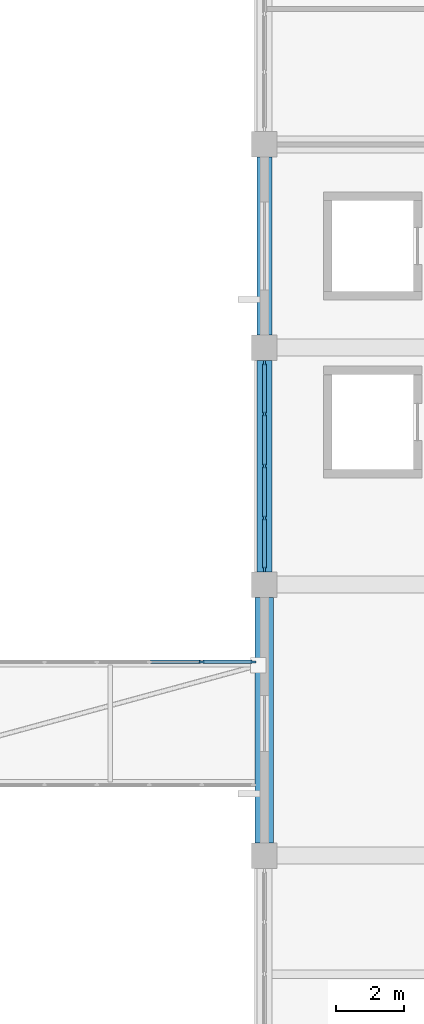
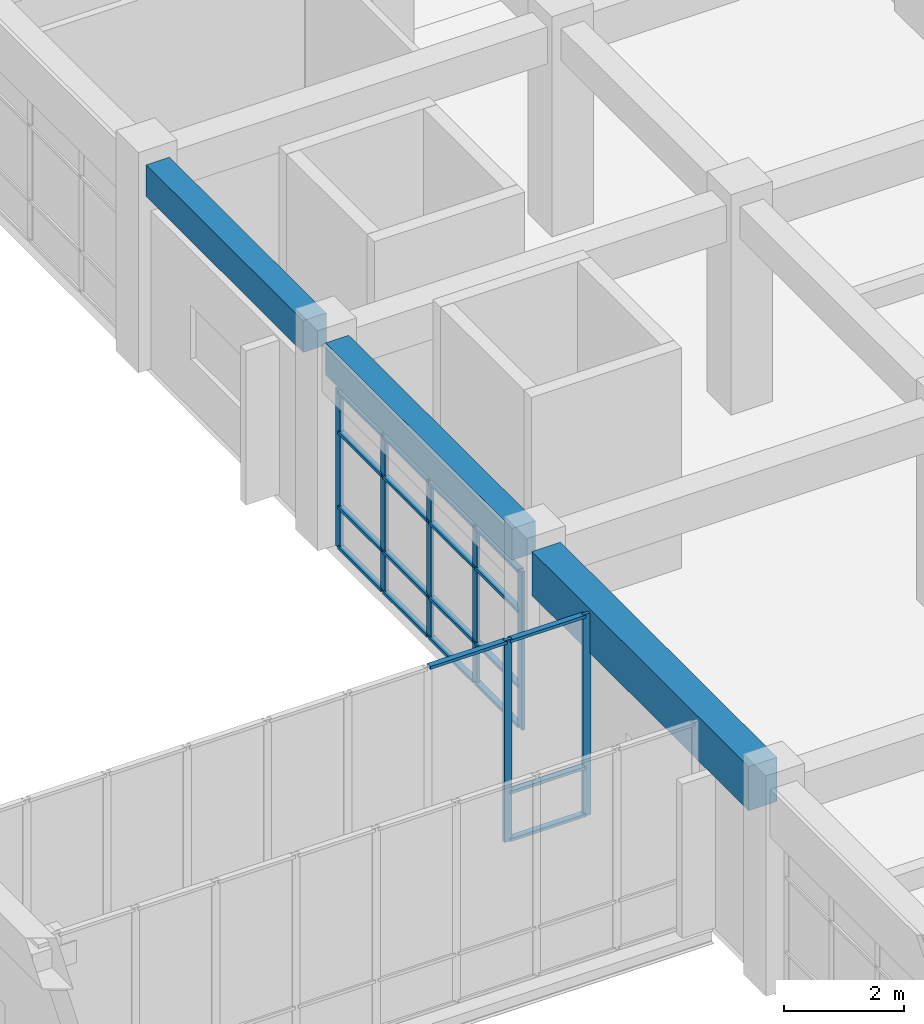
# One storey, part 22 of 70: 27 members, 3 beams, 2 elements without a shape of their own.
"""IFC4 building model written with IfcOpenShell, lengths in metres."""

import ifcopenshell
import ifcopenshell.guid

model = None  # the IFC model being written
_history = None  # IfcOwnerHistory: only IFC2X3 demands one
_inside = {}  # id of a spatial element -> (the spatial element, [elements in it])
_under = {}  # id of a project, library or spatial element -> (it, [spatial elements below it])
_declared = {}  # id of a project -> (the project, [libraries it declares])
_typed = {}  # id of a type object -> (the type object, [elements of that type])
_made_of = {}  # id of a material, layer set ... -> (it, [elements and type objects made of it])


def new_model(schema):
    """Start an empty IFC model of exactly this schema.

    Asked for "IFC4X3", IfcOpenShell would pick the latest addendum, in which some entities
    have other attributes; the version numbers below select the first issue.
    IFC2X3 requires an IfcOwnerHistory on every rooted entity: one is made here for all.
    """
    global model, _history
    if schema == "IFC4X3":
        model = ifcopenshell.file(schema_version=(4, 3, 0, 0))
    else:
        model = ifcopenshell.file(schema=schema)
    _inside.clear()
    _under.clear()
    _declared.clear()
    _typed.clear()
    _made_of.clear()
    _history = None
    if model.schema == "IFC2X3":
        org = make("IfcOrganization", Name="unknown")
        user = make(
            "IfcPersonAndOrganization",
            ThePerson=make("IfcPerson", FamilyName="unknown"),
            TheOrganization=org,
        )
        app = make(
            "IfcApplication",
            ApplicationDeveloper=org,
            Version="unknown",
            ApplicationFullName="unknown",
            ApplicationIdentifier="unknown",
        )
        _history = make(
            "IfcOwnerHistory",
            OwningUser=user,
            OwningApplication=app,
            ChangeAction="ADDED",
            CreationDate=0,
        )
    return model


def make(cls, **values):
    """One entity of the class cls with the attributes given. An attribute that is None is left unset."""
    return model.create_entity(
        cls, **{name: value for name, value in values.items() if value is not None}
    )


def rooted(cls, **values):
    """An entity with a GlobalId (a new one), such as an element, a storey or a relation."""
    return make(cls, GlobalId=ifcopenshell.guid.new(), OwnerHistory=_history, **values)


def si_unit(unit_type, name, prefix=None):
    """IfcSIUnit, for example si_unit("LENGTHUNIT", "METRE", prefix="MILLI")."""
    return make("IfcSIUnit", UnitType=unit_type, Prefix=prefix, Name=name)


def assignment(units):
    """IfcUnitAssignment: the units of a project."""
    return None if units is None else make("IfcUnitAssignment", Units=units)


def point(xyz):
    """IfcCartesianPoint."""
    return None if xyz is None else make("IfcCartesianPoint", Coordinates=xyz)


def direction(xyz):
    """IfcDirection."""
    return None if xyz is None else make("IfcDirection", DirectionRatios=xyz)


def frame(location, z_axis=None, x_axis=None):
    """IfcAxis2Placement3D, a coordinate frame: its origin and axes. An axis left out is left unset."""
    return make(
        "IfcAxis2Placement3D",
        Location=point(location),
        Axis=direction(z_axis),
        RefDirection=direction(x_axis),
    )


def frame_2d(location, x_axis=None):
    """IfcAxis2Placement2D, a coordinate frame in the plane: its origin and x axis."""
    return make(
        "IfcAxis2Placement2D", Location=point(location), RefDirection=direction(x_axis)
    )


def origin():
    """The frame at (0, 0, 0) with its axes left unset."""
    return frame((0.0, 0.0, 0.0))


def origin_2d():
    """The frame at (0, 0) in the plane with its x axis left unset."""
    return frame_2d((0.0, 0.0))


def place(relative_to, where):
    """IfcLocalPlacement: puts the frame where relative to a parent placement (None: the world)."""
    return make(
        "IfcLocalPlacement", PlacementRelTo=relative_to, RelativePlacement=where
    )


def context(
    kind, dimensions, precision=None, world=None, true_north=None, identifier=None
):
    """IfcGeometricRepresentationContext, for example the 3D "Model" context."""
    return make(
        "IfcGeometricRepresentationContext",
        ContextIdentifier=identifier,
        ContextType=kind,
        CoordinateSpaceDimension=dimensions,
        Precision=precision,
        WorldCoordinateSystem=world,
        TrueNorth=true_north,
    )


def subcontext(parent, identifier, kind, view, scale=None):
    """IfcGeometricRepresentationSubContext, for example "Body" below "Model"."""
    return make(
        "IfcGeometricRepresentationSubContext",
        ContextIdentifier=identifier,
        ContextType=kind,
        ParentContext=parent,
        TargetScale=scale,
        TargetView=view,
    )


def project(units=None, contexts=None):
    """IfcProject with its units and contexts."""
    return rooted(
        "IfcProject",
        Name="project",
        RepresentationContexts=contexts,
        UnitsInContext=assignment(units),
    )


def spatial(cls, under=None, at=None, **own):
    """A site, building, storey or space (cls), placed at a placement, below another one or the project."""
    s = rooted(cls, ObjectPlacement=at, **own)
    if under is not None:
        _under.setdefault(under.id(), (under, []))[1].append(s)
    return s


def profile(cls, at=None, kind="AREA", **sizes):
    """A parametric profile (cls). Its sizes go by their IFC names, for example OverallWidth=200.0."""
    return make(cls, ProfileType=kind, Position=at, **sizes)


def rectangle(**sizes):
    """IfcRectangleProfileDef."""
    return profile("IfcRectangleProfileDef", **sizes)


def extrude(swept, where, along, depth):
    """IfcExtrudedAreaSolid: the profile swept, set in the frame where, extruded along a direction by depth."""
    return make(
        "IfcExtrudedAreaSolid",
        SweptArea=swept,
        Position=where,
        ExtrudedDirection=direction(along),
        Depth=depth,
    )


def shape(context_of_items, identifier, shape_type, items):
    """IfcShapeRepresentation: the items that make up one representation, for example the "Body"."""
    return make(
        "IfcShapeRepresentation",
        ContextOfItems=context_of_items,
        RepresentationIdentifier=identifier,
        RepresentationType=shape_type,
        Items=items,
    )


def material(Name=None, Category=None):
    """IfcMaterial."""
    return make("IfcMaterial", Name=Name, Category=Category)


def layer(
    of_material, thickness, ventilated=None, Name=None, Category=None, Priority=None
):
    """IfcMaterialLayer: one layer of a wall or slab, of a material (None: an air gap)."""
    return make(
        "IfcMaterialLayer",
        Material=of_material,
        LayerThickness=thickness,
        IsVentilated=ventilated,
        Name=Name,
        Category=Category,
        Priority=Priority,
    )


def layer_set(layers, Name=None):
    """IfcMaterialLayerSet."""
    return make("IfcMaterialLayerSet", MaterialLayers=layers, LayerSetName=Name)


def material_profile(
    of_material, cross_section, Name=None, Category=None, Priority=None
):
    """IfcMaterialProfile: a cross section and its material."""
    return make(
        "IfcMaterialProfile",
        Name=Name,
        Material=of_material,
        Profile=cross_section,
        Priority=Priority,
        Category=Category,
    )


def profile_set(profiles, Name=None, composite=None):
    """IfcMaterialProfileSet."""
    return make(
        "IfcMaterialProfileSet",
        Name=Name,
        MaterialProfiles=profiles,
        CompositeProfile=composite,
    )


def made_of(thing, what):
    """Note that an element or type object is made of a material, layer set ...; save() writes the relation."""
    if what is not None:
        _made_of.setdefault(what.id(), (what, []))[1].append(thing)
    return thing


def type_object(cls, material=None, **own):
    """A type object (cls), such as IfcWallType, which elements share."""
    return made_of(rooted(cls, **own), material)


def element(
    cls,
    number,
    at=None,
    inside=None,
    cuts=None,
    type_object=None,
    material=None,
    context=None,
    identifier="Body",
    shape_type=None,
    held_by="IfcProductDefinitionShape",
    body=None,
    shapes=None,
    **own,
):
    """One element of the class cls, such as IfcWall. Its Tag is "e" and its number.

    at: its placement. inside: the storey or other place that contains it. cuts: it is an
    opening in that element (IfcRelVoidsElement). A single representation is given by context,
    identifier, shape_type and body (its items); several are given by shapes. held_by: the class
    of the entity that holds the representations. save() writes the other relations.
    """
    e = rooted(cls, Tag="e%d" % number, ObjectPlacement=at, **own)
    if body is not None:
        shapes = [shape(context, identifier, shape_type, body)]
    if shapes is not None:
        e.Representation = make(held_by, Representations=shapes)
    if inside is not None:
        _inside.setdefault(inside.id(), (inside, []))[1].append(e)
    if cuts is not None:
        rooted(
            "IfcRelVoidsElement", RelatingBuildingElement=cuts, RelatedOpeningElement=e
        )
    if type_object is not None:
        _typed.setdefault(type_object.id(), (type_object, []))[1].append(e)
    return made_of(e, material)


def aggregate(whole, parts):
    """IfcRelAggregates: a whole, such as a stair, and the parts it consists of."""
    return rooted("IfcRelAggregates", RelatingObject=whole, RelatedObjects=parts)


def save(model, path):
    """Write the relations noted so far, then the file.

    IfcRelAggregates (storeys below a building ...), IfcRelContainedInSpatialStructure (elements
    in a storey), IfcRelDefinesByType, IfcRelAssociatesMaterial and IfcRelDeclares: one each for
    every whole, place, type object, material and project.
    """
    for whole, parts in _under.values():
        aggregate(whole, parts)
    for where, things in _inside.values():
        rooted(
            "IfcRelContainedInSpatialStructure",
            RelatedElements=things,
            RelatingStructure=where,
        )
    for kind, things in _typed.values():
        rooted("IfcRelDefinesByType", RelatedObjects=things, RelatingType=kind)
    for what, things in _made_of.values():
        rooted("IfcRelAssociatesMaterial", RelatedObjects=things, RelatingMaterial=what)
    for by, libraries in _declared.values():
        rooted("IfcRelDeclares", RelatingContext=by, RelatedDefinitions=libraries)
    model.write(path)


model = new_model("IFC4")

# Units and contexts
model_context = context("Model", 3, precision=1e-05, world=origin(), true_north=direction((0.0, 1.0)))
body_context = subcontext(model_context, "Body", "Model", "MODEL_VIEW")
ifc_project = project(units=[si_unit("LENGTHUNIT", "METRE"), si_unit("AREAUNIT", "SQUARE_METRE"), si_unit("VOLUMEUNIT", "CUBIC_METRE"), si_unit("PLANEANGLEUNIT", "RADIAN"), si_unit("MASSUNIT", "GRAM", prefix="KILO")], contexts=[model_context])

# Site, building, storey
site_placement = place(None, origin())
site = spatial("IfcSite", under=ifc_project, at=site_placement, CompositionType="ELEMENT")
building_placement = place(site_placement, origin())
building = spatial("IfcBuilding", under=site, at=building_placement, Name="Naurynzar Civic Courthouse", CompositionType="ELEMENT")
storey_placement = place(building_placement, frame((0.0, 0.0, 5.39990234375)))
storey = spatial("IfcBuildingStorey", under=building, at=storey_placement, Name="L02", CompositionType="ELEMENT", Elevation=5.39990234375)

# Beams
ifc_material_1 = material(Name="Concrete C40/50", Category="concrete")
ifc_material_profile_1 = material_profile(ifc_material_1, rectangle(XDim=0.449951171875, YDim=0.64990234375, at=origin_2d()), Name="RCB 450x650")
ifc_profile_set_1 = profile_set([ifc_material_profile_1], Name="Concrete C40/50")
beam_type_1 = type_object("IfcBeamType", Name="BM-RC-450x650", PredefinedType="BEAM", material=ifc_profile_set_1)
beam_1_placement = place(storey_placement, frame((130.0, 25.375, 3.875), z_axis=(0.0, 1.0, 0.0), x_axis=(-1.0, 0.0, 0.0)))
element("IfcBeam", 1, at=beam_1_placement, inside=storey, type_object=beam_type_1, Name="V5 girder Y-2300 L02", PredefinedType="BEAM", context=body_context, shape_type="SweptSolid", body=[
    extrude(rectangle(XDim=0.449951171875, YDim=0.64990234375, at=origin_2d()), origin(), (0.0, 0.0, 1.0), 6.25),
])
beam_2_placement = place(storey_placement, frame((130.0, 32.375, 3.875), z_axis=(0.0, 1.0, 0.0), x_axis=(-1.0, 0.0, 0.0)))
element("IfcBeam", 2, at=beam_2_placement, inside=storey, type_object=beam_type_1, Name="V5 girder Y-2301 L02", PredefinedType="BEAM", context=body_context, shape_type="SweptSolid", body=[
    extrude(rectangle(XDim=0.449951171875, YDim=0.64990234375, at=origin_2d()), origin(), (0.0, 0.0, 1.0), 5.25),
])
ifc_material_2 = material(Name="Concrete C40/50", Category="concrete")
ifc_material_profile_2 = material_profile(ifc_material_2, rectangle(XDim=0.550048828125, YDim=0.89990234375, at=origin_2d()), Name="RCB 550x900")
ifc_profile_set_2 = profile_set([ifc_material_profile_2], Name="Concrete C40/50")
beam_type_2 = type_object("IfcBeamType", Name="BM-RC-550x900", PredefinedType="T_BEAM", material=ifc_profile_set_2)
beam_3_placement = place(storey_placement, frame((130.0, 17.375, 3.75), z_axis=(0.0, 1.0, 0.0), x_axis=(-1.0, 0.0, 0.0)))
element("IfcBeam", 3, at=beam_3_placement, inside=storey, type_object=beam_type_2, Name="V5 girder Y-2299 L02", PredefinedType="T_BEAM", context=body_context, shape_type="SweptSolid", body=[
    extrude(rectangle(XDim=0.550048828125, YDim=0.89990234375, at=origin_2d()), origin(), (0.0, 0.0, 1.0), 7.25),
])

# Curtain wall, members
ifc_material_3 = material(Name="Aluminium 6063-T6", Category="aluminium")
ifc_layer_1 = layer(ifc_material_3, 0.179931640625)
ifc_layer_set_1 = layer_set([ifc_layer_1], Name="CW-UNIT-1500")
curtain_wall_type_1 = type_object("IfcCurtainWallType", Name="CW-UNIT-1500", PredefinedType="NOTDEFINED", material=ifc_layer_set_1)
curtain_wall_1_placement = place(storey_placement, origin())
curtain_wall_1 = element("IfcCurtainWall", 4, at=curtain_wall_1_placement, inside=storey, type_object=curtain_wall_type_1, Name="V5 unitised curtain wall 86 L02", PredefinedType="NOTDEFINED")
ifc_material_4 = material(Name="Aluminium 6063-T6", Category="aluminium")
ifc_material_profile_3 = material_profile(ifc_material_4, rectangle(XDim=0.06005859375, YDim=0.14990234375, at=origin_2d()), Name="ALU MULLION 60x150")
ifc_profile_set_3 = profile_set([ifc_material_profile_3], Name="Aluminium 6063-T6")
member_type_1 = type_object("IfcMemberType", Name="CWM-60x150", PredefinedType="MULLION", material=ifc_profile_set_3)
member_1_placement = place(storey_placement, frame((130.0, 25.455078125, 0.0), z_axis=(0.0, 0.0, 1.0), x_axis=(-1.0, 0.0, 0.0)))
member_1 = element("IfcMember", 5, at=member_1_placement, type_object=member_type_1, Name="CW-01 mullion 1", PredefinedType="MULLION", context=body_context, shape_type="SweptSolid", body=[
    extrude(rectangle(XDim=0.06005859375, YDim=0.14990234375, at=origin_2d()), origin(), (0.0, 0.0, 1.0), 3.22998046875),
])
member_2_placement = place(storey_placement, frame((130.0, 26.96240234375, 0.0), z_axis=(0.0, 0.0, 1.0), x_axis=(-1.0, 0.0, 0.0)))
member_2 = element("IfcMember", 6, at=member_2_placement, type_object=member_type_1, Name="CW-01 mullion 2", PredefinedType="MULLION", context=body_context, shape_type="SweptSolid", body=[
    extrude(rectangle(XDim=0.06005859375, YDim=0.14990234375, at=origin_2d()), origin(), (0.0, 0.0, 1.0), 3.22998046875),
])
member_3_placement = place(storey_placement, frame((130.0, 28.5, 0.0), z_axis=(0.0, 0.0, 1.0), x_axis=(-1.0, 0.0, 0.0)))
member_3 = element("IfcMember", 7, at=member_3_placement, type_object=member_type_1, Name="CW-01 mullion 3", PredefinedType="MULLION", context=body_context, shape_type="SweptSolid", body=[
    extrude(rectangle(XDim=0.06005859375, YDim=0.14990234375, at=origin_2d()), origin(), (0.0, 0.0, 1.0), 3.22998046875),
])
member_4_placement = place(storey_placement, frame((130.0, 30.03759765625, 0.0), z_axis=(0.0, 0.0, 1.0), x_axis=(-1.0, 0.0, 0.0)))
member_4 = element("IfcMember", 8, at=member_4_placement, type_object=member_type_1, Name="CW-01 mullion 4", PredefinedType="MULLION", context=body_context, shape_type="SweptSolid", body=[
    extrude(rectangle(XDim=0.06005859375, YDim=0.14990234375, at=origin_2d()), origin(), (0.0, 0.0, 1.0), 3.22998046875),
])
member_5_placement = place(storey_placement, frame((130.0, 31.544921875, 0.0), z_axis=(0.0, 0.0, 1.0), x_axis=(-1.0, 0.0, 0.0)))
member_5 = element("IfcMember", 9, at=member_5_placement, type_object=member_type_1, Name="CW-01 mullion 5", PredefinedType="MULLION", context=body_context, shape_type="SweptSolid", body=[
    extrude(rectangle(XDim=0.06005859375, YDim=0.14990234375, at=origin_2d()), origin(), (0.0, 0.0, 1.0), 3.22998046875),
])

ifc_material_5 = material(Name="Aluminium 6063-T6", Category="aluminium")
ifc_layer_2 = layer(ifc_material_5, 0.14990234375)
ifc_layer_set_2 = layer_set([ifc_layer_2], Name="CW-BRIDGE-1500")
curtain_wall_type_2 = type_object("IfcCurtainWallType", Name="CW-BRIDGE-1500", PredefinedType="USERDEFINED", material=ifc_layer_set_2)
curtain_wall_2_placement = place(storey_placement, origin())
curtain_wall_2 = element("IfcCurtainWall", 10, at=curtain_wall_2_placement, inside=storey, type_object=curtain_wall_type_2, Name="BR-E2 glazed bridge screen L02.2", ObjectType="GLAZED BRIDGE SCREEN", PredefinedType="USERDEFINED")
member_6_placement = place(storey_placement, frame((129.669921875, 22.719970703125, 0.0), z_axis=(0.0, 0.0, 1.0), x_axis=(0.0, -1.0, 0.0)))
member_6 = element("IfcMember", 11, at=member_6_placement, type_object=member_type_1, Name="CW-03 mullion 1", PredefinedType="MULLION", context=body_context, shape_type="SweptSolid", body=[
    extrude(rectangle(XDim=0.06005859375, YDim=0.14990234375, at=origin_2d()), origin(), (0.0, 0.0, 1.0), 4.1201171875),
])
member_7_placement = place(storey_placement, frame((128.14990234375, 22.719970703125, 0.0), z_axis=(0.0, 0.0, 1.0), x_axis=(0.0, -1.0, 0.0)))
member_7 = element("IfcMember", 12, at=member_7_placement, type_object=member_type_1, Name="CW-03 mullion 2", PredefinedType="MULLION", context=body_context, shape_type="SweptSolid", body=[
    extrude(rectangle(XDim=0.06005859375, YDim=0.14990234375, at=origin_2d()), origin(), (0.0, 0.0, 1.0), 4.1201171875),
])

# Member
ifc_material_6 = material(Name="Aluminium 6063-T6", Category="aluminium")
ifc_material_profile_4 = material_profile(ifc_material_6, rectangle(XDim=0.110107421875, YDim=0.06005859375, at=origin_2d()), Name="ALU TRANSOM 60x110")
ifc_profile_set_4 = profile_set([ifc_material_profile_4], Name="Aluminium 6063-T6")
member_type_2 = type_object("IfcMemberType", Name="CWT-60x110", PredefinedType="USERDEFINED", material=ifc_profile_set_4)
member_8_placement = place(storey_placement, frame((130.0, 25.485107421875, 0.030029296875), z_axis=(0.0, 1.0, 0.0), x_axis=(-1.0, 0.0, 0.0)))
member_8 = element("IfcMember", 13, at=member_8_placement, type_object=member_type_2, Name="CW-01 transom 1.1", ObjectType="TRANSOM", PredefinedType="USERDEFINED", context=body_context, shape_type="SweptSolid", body=[
    extrude(rectangle(XDim=0.110107421875, YDim=0.06005859375, at=origin_2d()), origin(), (0.0, 0.0, 1.0), 1.447509765625),
])

member_9_placement = place(storey_placement, frame((130.0, 25.485107421875, 0.85009765625), z_axis=(0.0, 1.0, 0.0), x_axis=(-1.0, 0.0, 0.0)))
member_9 = element("IfcMember", 14, at=member_9_placement, type_object=member_type_2, Name="CW-01 transom 1.2", ObjectType="TRANSOM", PredefinedType="USERDEFINED", context=body_context, shape_type="SweptSolid", body=[
    extrude(rectangle(XDim=0.110107421875, YDim=0.06005859375, at=origin_2d()), origin(), (0.0, 0.0, 1.0), 1.447509765625),
])

member_10_placement = place(storey_placement, frame((130.0, 25.485107421875, 2.380126953125), z_axis=(0.0, 1.0, 0.0), x_axis=(-1.0, 0.0, 0.0)))
member_10 = element("IfcMember", 15, at=member_10_placement, type_object=member_type_2, Name="CW-01 transom 1.3", ObjectType="TRANSOM", PredefinedType="USERDEFINED", context=body_context, shape_type="SweptSolid", body=[
    extrude(rectangle(XDim=0.110107421875, YDim=0.06005859375, at=origin_2d()), origin(), (0.0, 0.0, 1.0), 1.447509765625),
])

member_11_placement = place(storey_placement, frame((130.0, 25.485107421875, 3.2001953125), z_axis=(0.0, 1.0, 0.0), x_axis=(-1.0, 0.0, 0.0)))
member_11 = element("IfcMember", 16, at=member_11_placement, type_object=member_type_2, Name="CW-01 transom 1.4", ObjectType="TRANSOM", PredefinedType="USERDEFINED", context=body_context, shape_type="SweptSolid", body=[
    extrude(rectangle(XDim=0.110107421875, YDim=0.06005859375, at=origin_2d()), origin(), (0.0, 0.0, 1.0), 1.447509765625),
])

member_12_placement = place(storey_placement, frame((130.0, 26.992431640625, 0.030029296875), z_axis=(0.0, 1.0, 0.0), x_axis=(-1.0, 0.0, 0.0)))
member_12 = element("IfcMember", 17, at=member_12_placement, type_object=member_type_2, Name="CW-01 transom 2.1", ObjectType="TRANSOM", PredefinedType="USERDEFINED", context=body_context, shape_type="SweptSolid", body=[
    extrude(rectangle(XDim=0.110107421875, YDim=0.06005859375, at=origin_2d()), origin(), (0.0, 0.0, 1.0), 1.4775390625),
])

member_13_placement = place(storey_placement, frame((130.0, 26.992431640625, 0.85009765625), z_axis=(0.0, 1.0, 0.0), x_axis=(-1.0, 0.0, 0.0)))
member_13 = element("IfcMember", 18, at=member_13_placement, type_object=member_type_2, Name="CW-01 transom 2.2", ObjectType="TRANSOM", PredefinedType="USERDEFINED", context=body_context, shape_type="SweptSolid", body=[
    extrude(rectangle(XDim=0.110107421875, YDim=0.06005859375, at=origin_2d()), origin(), (0.0, 0.0, 1.0), 1.4775390625),
])

member_14_placement = place(storey_placement, frame((130.0, 26.992431640625, 2.380126953125), z_axis=(0.0, 1.0, 0.0), x_axis=(-1.0, 0.0, 0.0)))
member_14 = element("IfcMember", 19, at=member_14_placement, type_object=member_type_2, Name="CW-01 transom 2.3", ObjectType="TRANSOM", PredefinedType="USERDEFINED", context=body_context, shape_type="SweptSolid", body=[
    extrude(rectangle(XDim=0.110107421875, YDim=0.06005859375, at=origin_2d()), origin(), (0.0, 0.0, 1.0), 1.4775390625),
])

member_15_placement = place(storey_placement, frame((130.0, 26.992431640625, 3.2001953125), z_axis=(0.0, 1.0, 0.0), x_axis=(-1.0, 0.0, 0.0)))
member_15 = element("IfcMember", 20, at=member_15_placement, type_object=member_type_2, Name="CW-01 transom 2.4", ObjectType="TRANSOM", PredefinedType="USERDEFINED", context=body_context, shape_type="SweptSolid", body=[
    extrude(rectangle(XDim=0.110107421875, YDim=0.06005859375, at=origin_2d()), origin(), (0.0, 0.0, 1.0), 1.4775390625),
])

member_16_placement = place(storey_placement, frame((130.0, 28.530029296875, 0.030029296875), z_axis=(0.0, 1.0, 0.0), x_axis=(-1.0, 0.0, 0.0)))
member_16 = element("IfcMember", 21, at=member_16_placement, type_object=member_type_2, Name="CW-01 transom 3.1", ObjectType="TRANSOM", PredefinedType="USERDEFINED", context=body_context, shape_type="SweptSolid", body=[
    extrude(rectangle(XDim=0.110107421875, YDim=0.06005859375, at=origin_2d()), origin(), (0.0, 0.0, 1.0), 1.4775390625),
])

member_17_placement = place(storey_placement, frame((130.0, 28.530029296875, 0.85009765625), z_axis=(0.0, 1.0, 0.0), x_axis=(-1.0, 0.0, 0.0)))
member_17 = element("IfcMember", 22, at=member_17_placement, type_object=member_type_2, Name="CW-01 transom 3.2", ObjectType="TRANSOM", PredefinedType="USERDEFINED", context=body_context, shape_type="SweptSolid", body=[
    extrude(rectangle(XDim=0.110107421875, YDim=0.06005859375, at=origin_2d()), origin(), (0.0, 0.0, 1.0), 1.4775390625),
])

member_18_placement = place(storey_placement, frame((130.0, 28.530029296875, 2.380126953125), z_axis=(0.0, 1.0, 0.0), x_axis=(-1.0, 0.0, 0.0)))
member_18 = element("IfcMember", 23, at=member_18_placement, type_object=member_type_2, Name="CW-01 transom 3.3", ObjectType="TRANSOM", PredefinedType="USERDEFINED", context=body_context, shape_type="SweptSolid", body=[
    extrude(rectangle(XDim=0.110107421875, YDim=0.06005859375, at=origin_2d()), origin(), (0.0, 0.0, 1.0), 1.4775390625),
])

member_19_placement = place(storey_placement, frame((130.0, 28.530029296875, 3.2001953125), z_axis=(0.0, 1.0, 0.0), x_axis=(-1.0, 0.0, 0.0)))
member_19 = element("IfcMember", 24, at=member_19_placement, type_object=member_type_2, Name="CW-01 transom 3.4", ObjectType="TRANSOM", PredefinedType="USERDEFINED", context=body_context, shape_type="SweptSolid", body=[
    extrude(rectangle(XDim=0.110107421875, YDim=0.06005859375, at=origin_2d()), origin(), (0.0, 0.0, 1.0), 1.4775390625),
])

member_20_placement = place(storey_placement, frame((130.0, 30.0673828125, 0.030029296875), z_axis=(0.0, 1.0, 0.0), x_axis=(-1.0, 0.0, 0.0)))
member_20 = element("IfcMember", 25, at=member_20_placement, type_object=member_type_2, Name="CW-01 transom 4.1", ObjectType="TRANSOM", PredefinedType="USERDEFINED", context=body_context, shape_type="SweptSolid", body=[
    extrude(rectangle(XDim=0.110107421875, YDim=0.06005859375, at=origin_2d()), origin(), (0.0, 0.0, 1.0), 1.447509765625),
])

member_21_placement = place(storey_placement, frame((130.0, 30.0673828125, 0.85009765625), z_axis=(0.0, 1.0, 0.0), x_axis=(-1.0, 0.0, 0.0)))
member_21 = element("IfcMember", 26, at=member_21_placement, type_object=member_type_2, Name="CW-01 transom 4.2", ObjectType="TRANSOM", PredefinedType="USERDEFINED", context=body_context, shape_type="SweptSolid", body=[
    extrude(rectangle(XDim=0.110107421875, YDim=0.06005859375, at=origin_2d()), origin(), (0.0, 0.0, 1.0), 1.447509765625),
])

member_22_placement = place(storey_placement, frame((130.0, 30.0673828125, 2.380126953125), z_axis=(0.0, 1.0, 0.0), x_axis=(-1.0, 0.0, 0.0)))
member_22 = element("IfcMember", 27, at=member_22_placement, type_object=member_type_2, Name="CW-01 transom 4.3", ObjectType="TRANSOM", PredefinedType="USERDEFINED", context=body_context, shape_type="SweptSolid", body=[
    extrude(rectangle(XDim=0.110107421875, YDim=0.06005859375, at=origin_2d()), origin(), (0.0, 0.0, 1.0), 1.447509765625),
])

member_23_placement = place(storey_placement, frame((130.0, 30.0673828125, 3.2001953125), z_axis=(0.0, 1.0, 0.0), x_axis=(-1.0, 0.0, 0.0)))
member_23 = element("IfcMember", 28, at=member_23_placement, type_object=member_type_2, Name="CW-01 transom 4.4", ObjectType="TRANSOM", PredefinedType="USERDEFINED", context=body_context, shape_type="SweptSolid", body=[
    extrude(rectangle(XDim=0.110107421875, YDim=0.06005859375, at=origin_2d()), origin(), (0.0, 0.0, 1.0), 1.447509765625),
])

aggregate(curtain_wall_1, [member_1, member_2, member_3, member_4, member_5, member_8, member_9, member_10, member_11, member_12, member_13, member_14, member_15, member_16, member_17, member_18, member_19, member_20, member_21, member_22, member_23])

member_24_placement = place(storey_placement, frame((129.639892578125, 22.719970703125, 0.030029296875), z_axis=(-1.0, 0.0, 0.0), x_axis=(0.0, -1.0, 0.0)))
member_24 = element("IfcMember", 29, at=member_24_placement, type_object=member_type_2, Name="CW-03 transom 1.1", ObjectType="TRANSOM", PredefinedType="USERDEFINED", context=body_context, shape_type="SweptSolid", body=[
    extrude(rectangle(XDim=0.110107421875, YDim=0.06005859375, at=origin_2d()), origin(), (0.0, 0.0, 1.0), 1.4599609375),
])

member_25_placement = place(storey_placement, frame((129.639892578125, 22.719970703125, 1.0), z_axis=(-1.0, 0.0, 0.0), x_axis=(0.0, -1.0, 0.0)))
member_25 = element("IfcMember", 30, at=member_25_placement, type_object=member_type_2, Name="CW-03 transom 1.2", ObjectType="TRANSOM", PredefinedType="USERDEFINED", context=body_context, shape_type="SweptSolid", body=[
    extrude(rectangle(XDim=0.110107421875, YDim=0.06005859375, at=origin_2d()), origin(), (0.0, 0.0, 1.0), 1.4599609375),
])

member_26_placement = place(storey_placement, frame((129.639892578125, 22.719970703125, 4.090087890625), z_axis=(-1.0, 0.0, 0.0), x_axis=(0.0, -1.0, 0.0)))
member_26 = element("IfcMember", 31, at=member_26_placement, type_object=member_type_2, Name="CW-03 transom 1.3", ObjectType="TRANSOM", PredefinedType="USERDEFINED", context=body_context, shape_type="SweptSolid", body=[
    extrude(rectangle(XDim=0.110107421875, YDim=0.06005859375, at=origin_2d()), origin(), (0.0, 0.0, 1.0), 1.4599609375),
])

member_27_placement = place(storey_placement, frame((128.1201171875, 22.719970703125, 4.090087890625), z_axis=(-1.0, 0.0, 0.0), x_axis=(0.0, -1.0, 0.0)))
member_27 = element("IfcMember", 32, at=member_27_placement, type_object=member_type_2, Name="CW-03 transom 2.3", ObjectType="TRANSOM", PredefinedType="USERDEFINED", context=body_context, shape_type="SweptSolid", body=[
    extrude(rectangle(XDim=0.110107421875, YDim=0.06005859375, at=origin_2d()), origin(), (0.0, 0.0, 1.0), 1.490234375),
])

aggregate(curtain_wall_2, [member_6, member_7, member_24, member_25, member_26, member_27])

save(model, "model.ifc")
